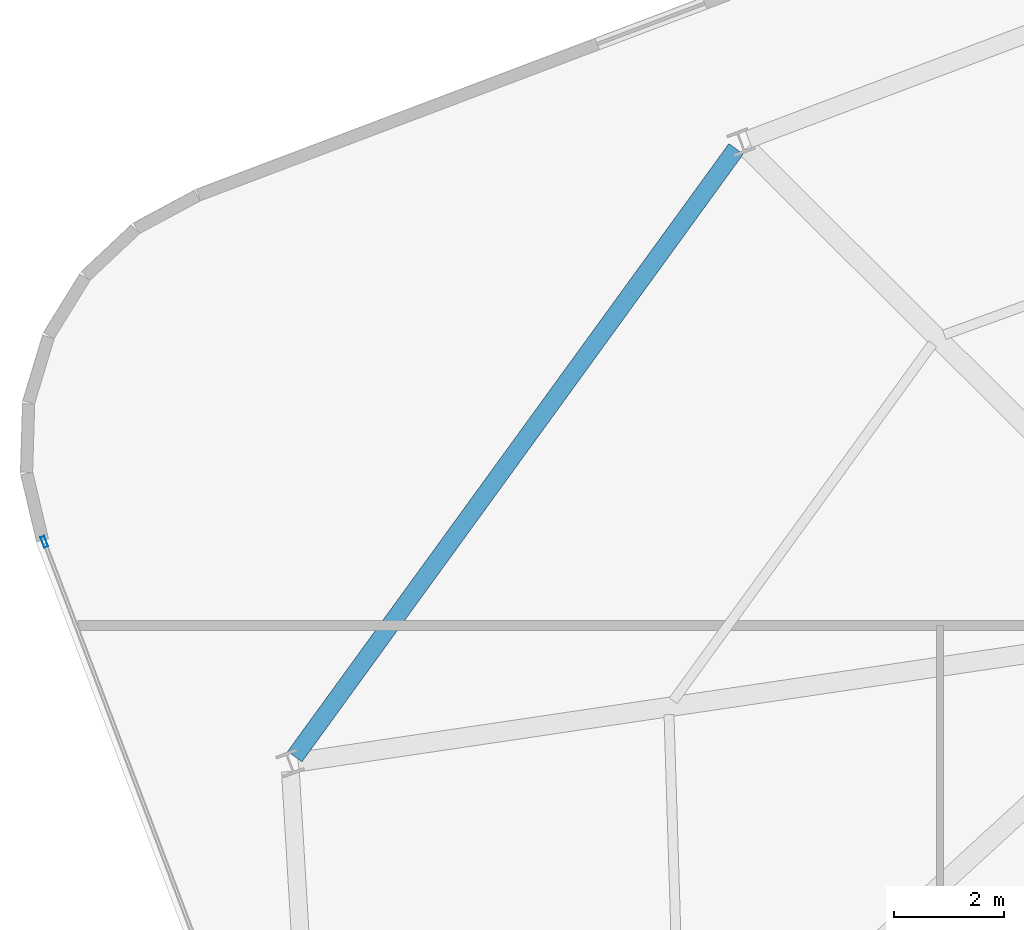
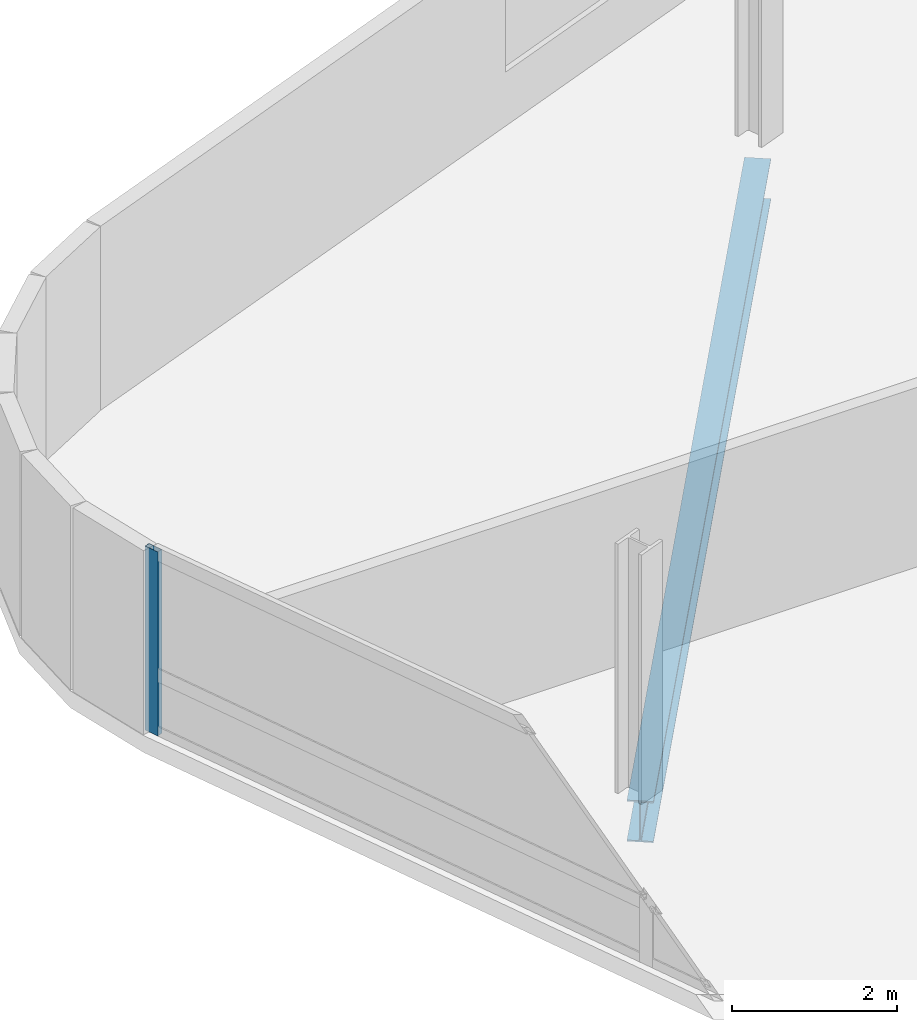
# One storey, part 8 of 20: 1 beam, 1 member, 1 element without a shape of its own.
"""IFC4 building model written with IfcOpenShell, lengths in metres."""

from ifc_helpers import new_model, si_unit, direction, frame, origin, origin_2d, place, context, subcontext, project, spatial, hollow_rectangle, i_section, extrude, material, layer, layer_set, material_profile, profile_set, type_object, element, aggregate, save


model = new_model("IFC4")

# Units and contexts
model_context = context("Model", 3, precision=1e-05, world=origin(), true_north=direction((0.0, 1.0)))
body_context = subcontext(model_context, "Body", "Model", "MODEL_VIEW")
ifc_project = project(units=[si_unit("LENGTHUNIT", "METRE"), si_unit("AREAUNIT", "SQUARE_METRE"), si_unit("VOLUMEUNIT", "CUBIC_METRE"), si_unit("PLANEANGLEUNIT", "RADIAN"), si_unit("MASSUNIT", "GRAM", prefix="KILO")], contexts=[model_context])

# Site, building, storey
site_placement = place(None, origin())
site = spatial("IfcSite", under=ifc_project, at=site_placement, CompositionType="ELEMENT")
building_placement = place(site_placement, origin())
building = spatial("IfcBuilding", under=site, at=building_placement, Name="Varnelok Gate Tower", CompositionType="ELEMENT")
storey_placement = place(building_placement, frame((0.0, 0.0, 223.800048828125)))
storey = spatial("IfcBuildingStorey", under=building, at=storey_placement, Name="L57", CompositionType="ELEMENT", Elevation=223.800048828125)

# Beam
ifc_material_1 = material(Name="Structural Steel ASTM A992 Grade 50", Category="steel")
ifc_material_profile_1 = material_profile(ifc_material_1, i_section(OverallWidth=0.323974609375, OverallDepth=0.611083984375, WebThickness=0.0126953125, FlangeThickness=0.01904296875, FilletRadius=0.01806640625, at=origin_2d()), Name="W24X104")
ifc_profile_set_1 = profile_set([ifc_material_profile_1], Name="Structural Steel ASTM A992 Grade 50")
beam_type = type_object("IfcBeamType", Name="BM-SPN-W24X104", PredefinedType="SPANDREL", material=ifc_profile_set_1)
beam_placement = place(storey_placement, frame((15.479736328125, 35.35009765625, -0.5556640625), z_axis=(-0.587549324529, -0.80918835338, 0.0), x_axis=(0.80918835338, -0.587549324529, 0.0)))
element("IfcBeam", 1, at=beam_placement, inside=storey, type_object=beam_type, Name="L57 Perimeter Spandrel Beam 13", PredefinedType="SPANDREL", context=body_context, shape_type="SweptSolid", body=[
    extrude(i_section(OverallWidth=0.323974609375, OverallDepth=0.611083984375, WebThickness=0.0126953125, FlangeThickness=0.01904296875, FilletRadius=0.01806640625, at=origin_2d()), origin(), (0.0, 0.0, 1.0), 13.6953125),
])

# Curtain wall, member
ifc_material_2 = material(Name="Anodized Aluminum Alloy 6063-T6", Category="aluminium")
ifc_layer = layer(ifc_material_2, 0.179931640625)
ifc_layer_set = layer_set([ifc_layer], Name="Anodized Aluminum Alloy 6063-T6")
curtain_wall_type = type_object("IfcCurtainWallType", Name="CW4-RESIDENCE-VISION", PredefinedType="USERDEFINED", material=ifc_layer_set)
curtain_wall_placement = place(storey_placement, origin())
curtain_wall = element("IfcCurtainWall", 2, at=curtain_wall_placement, inside=storey, type_object=curtain_wall_type, Name="L57 West End Vision Curtain Wall", ObjectType="UNITISED CURTAIN WALL", PredefinedType="USERDEFINED")
ifc_material_profile_2 = material_profile(ifc_material_2, hollow_rectangle(XDim=0.074951171875, YDim=0.199951171875, WallThickness=0.00390625, at=origin_2d()), Name="ALU200X75X4")
ifc_profile_set_2 = profile_set([ifc_material_profile_2], Name="Anodized Aluminum Alloy 6063-T6")
member_type = type_object("IfcMemberType", Name="CW-MULL-200", PredefinedType="MULLION", material=ifc_profile_set_2)
member_placement = place(storey_placement, frame((2.864990234375, 28.1845703125, 0.0), z_axis=(0.0, 0.0, 1.0), x_axis=(-0.935221557832, -0.354063042079, 0.0)))
member = element("IfcMember", 3, at=member_placement, type_object=member_type, Name="CW4 mullion 5", PredefinedType="MULLION", context=body_context, shape_type="SweptSolid", body=[
    extrude(hollow_rectangle(XDim=0.074951171875, YDim=0.199951171875, WallThickness=0.00390625, at=origin_2d()), origin(), (0.0, 0.0, 1.0), 2.72998046875),
])
aggregate(curtain_wall, [member])

save(model, "model.ifc")
